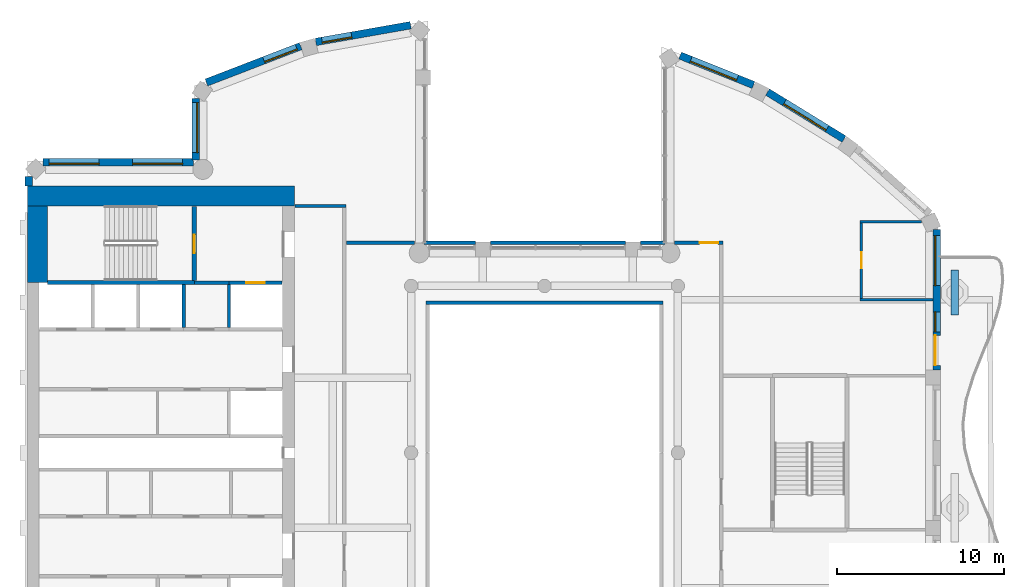
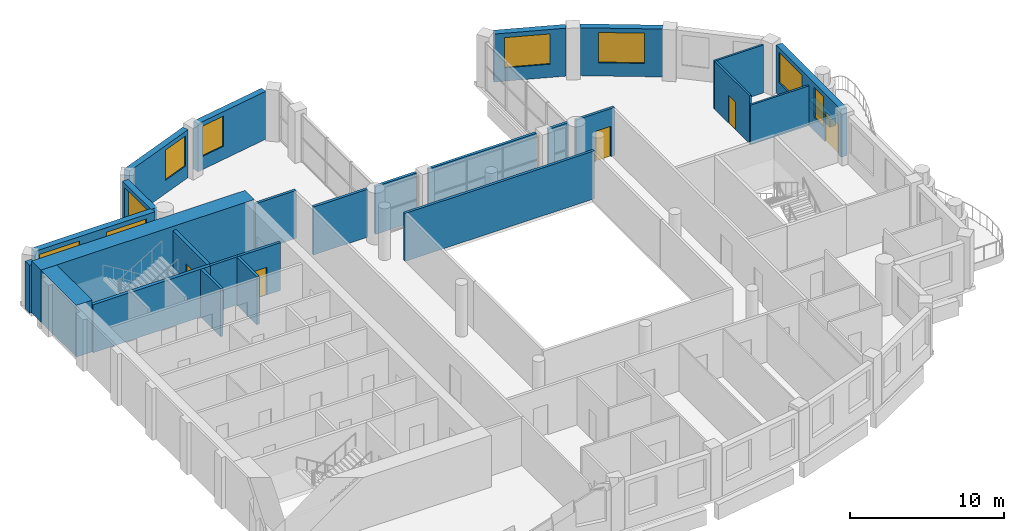
# One storey, part 7 of 15: 27 walls, 9 windows, 5 doors, 14 openings.
"""IFC4 building model written with IfcOpenShell, lengths in metres."""

import ifcopenshell
import ifcopenshell.guid

model = None  # the IFC model being written
_history = None  # IfcOwnerHistory: only IFC2X3 demands one
_inside = {}  # id of a spatial element -> (the spatial element, [elements in it])
_under = {}  # id of a project, library or spatial element -> (it, [spatial elements below it])
_declared = {}  # id of a project -> (the project, [libraries it declares])
_typed = {}  # id of a type object -> (the type object, [elements of that type])
_made_of = {}  # id of a material, layer set ... -> (it, [elements and type objects made of it])


def new_model(schema):
    """Start an empty IFC model of exactly this schema.

    Asked for "IFC4X3", IfcOpenShell would pick the latest addendum, in which some entities
    have other attributes; the version numbers below select the first issue.
    IFC2X3 requires an IfcOwnerHistory on every rooted entity: one is made here for all.
    """
    global model, _history
    if schema == "IFC4X3":
        model = ifcopenshell.file(schema_version=(4, 3, 0, 0))
    else:
        model = ifcopenshell.file(schema=schema)
    _inside.clear()
    _under.clear()
    _declared.clear()
    _typed.clear()
    _made_of.clear()
    _history = None
    if model.schema == "IFC2X3":
        org = make("IfcOrganization", Name="unknown")
        user = make(
            "IfcPersonAndOrganization",
            ThePerson=make("IfcPerson", FamilyName="unknown"),
            TheOrganization=org,
        )
        app = make(
            "IfcApplication",
            ApplicationDeveloper=org,
            Version="unknown",
            ApplicationFullName="unknown",
            ApplicationIdentifier="unknown",
        )
        _history = make(
            "IfcOwnerHistory",
            OwningUser=user,
            OwningApplication=app,
            ChangeAction="ADDED",
            CreationDate=0,
        )
    return model


def make(cls, **values):
    """One entity of the class cls with the attributes given. An attribute that is None is left unset."""
    return model.create_entity(
        cls, **{name: value for name, value in values.items() if value is not None}
    )


def rooted(cls, **values):
    """An entity with a GlobalId (a new one), such as an element, a storey or a relation."""
    return make(cls, GlobalId=ifcopenshell.guid.new(), OwnerHistory=_history, **values)


def si_unit(unit_type, name, prefix=None):
    """IfcSIUnit, for example si_unit("LENGTHUNIT", "METRE", prefix="MILLI")."""
    return make("IfcSIUnit", UnitType=unit_type, Prefix=prefix, Name=name)


def assignment(units):
    """IfcUnitAssignment: the units of a project."""
    return None if units is None else make("IfcUnitAssignment", Units=units)


def point(xyz):
    """IfcCartesianPoint."""
    return None if xyz is None else make("IfcCartesianPoint", Coordinates=xyz)


def direction(xyz):
    """IfcDirection."""
    return None if xyz is None else make("IfcDirection", DirectionRatios=xyz)


def frame(location, z_axis=None, x_axis=None):
    """IfcAxis2Placement3D, a coordinate frame: its origin and axes. An axis left out is left unset."""
    return make(
        "IfcAxis2Placement3D",
        Location=point(location),
        Axis=direction(z_axis),
        RefDirection=direction(x_axis),
    )


def frame_2d(location, x_axis=None):
    """IfcAxis2Placement2D, a coordinate frame in the plane: its origin and x axis."""
    return make(
        "IfcAxis2Placement2D", Location=point(location), RefDirection=direction(x_axis)
    )


def origin():
    """The frame at (0, 0, 0) with its axes left unset."""
    return frame((0.0, 0.0, 0.0))


def place(relative_to, where):
    """IfcLocalPlacement: puts the frame where relative to a parent placement (None: the world)."""
    return make(
        "IfcLocalPlacement", PlacementRelTo=relative_to, RelativePlacement=where
    )


def context(
    kind, dimensions, precision=None, world=None, true_north=None, identifier=None
):
    """IfcGeometricRepresentationContext, for example the 3D "Model" context."""
    return make(
        "IfcGeometricRepresentationContext",
        ContextIdentifier=identifier,
        ContextType=kind,
        CoordinateSpaceDimension=dimensions,
        Precision=precision,
        WorldCoordinateSystem=world,
        TrueNorth=true_north,
    )


def subcontext(parent, identifier, kind, view, scale=None):
    """IfcGeometricRepresentationSubContext, for example "Body" below "Model"."""
    return make(
        "IfcGeometricRepresentationSubContext",
        ContextIdentifier=identifier,
        ContextType=kind,
        ParentContext=parent,
        TargetScale=scale,
        TargetView=view,
    )


def project(units=None, contexts=None):
    """IfcProject with its units and contexts."""
    return rooted(
        "IfcProject",
        Name="project",
        RepresentationContexts=contexts,
        UnitsInContext=assignment(units),
    )


def spatial(cls, under=None, at=None, **own):
    """A site, building, storey or space (cls), placed at a placement, below another one or the project."""
    s = rooted(cls, ObjectPlacement=at, **own)
    if under is not None:
        _under.setdefault(under.id(), (under, []))[1].append(s)
    return s


def profile(cls, at=None, kind="AREA", **sizes):
    """A parametric profile (cls). Its sizes go by their IFC names, for example OverallWidth=200.0."""
    return make(cls, ProfileType=kind, Position=at, **sizes)


def rectangle(**sizes):
    """IfcRectangleProfileDef."""
    return profile("IfcRectangleProfileDef", **sizes)


def extrude(swept, where, along, depth):
    """IfcExtrudedAreaSolid: the profile swept, set in the frame where, extruded along a direction by depth."""
    return make(
        "IfcExtrudedAreaSolid",
        SweptArea=swept,
        Position=where,
        ExtrudedDirection=direction(along),
        Depth=depth,
    )


def shape(context_of_items, identifier, shape_type, items):
    """IfcShapeRepresentation: the items that make up one representation, for example the "Body"."""
    return make(
        "IfcShapeRepresentation",
        ContextOfItems=context_of_items,
        RepresentationIdentifier=identifier,
        RepresentationType=shape_type,
        Items=items,
    )


def material(Name=None, Category=None):
    """IfcMaterial."""
    return make("IfcMaterial", Name=Name, Category=Category)


def layer(
    of_material, thickness, ventilated=None, Name=None, Category=None, Priority=None
):
    """IfcMaterialLayer: one layer of a wall or slab, of a material (None: an air gap)."""
    return make(
        "IfcMaterialLayer",
        Material=of_material,
        LayerThickness=thickness,
        IsVentilated=ventilated,
        Name=Name,
        Category=Category,
        Priority=Priority,
    )


def layer_set(layers, Name=None):
    """IfcMaterialLayerSet."""
    return make("IfcMaterialLayerSet", MaterialLayers=layers, LayerSetName=Name)


def made_of(thing, what):
    """Note that an element or type object is made of a material, layer set ...; save() writes the relation."""
    if what is not None:
        _made_of.setdefault(what.id(), (what, []))[1].append(thing)
    return thing


def type_object(cls, material=None, **own):
    """A type object (cls), such as IfcWallType, which elements share."""
    return made_of(rooted(cls, **own), material)


def element(
    cls,
    number,
    at=None,
    inside=None,
    cuts=None,
    type_object=None,
    material=None,
    context=None,
    identifier="Body",
    shape_type=None,
    held_by="IfcProductDefinitionShape",
    body=None,
    shapes=None,
    **own,
):
    """One element of the class cls, such as IfcWall. Its Tag is "e" and its number.

    at: its placement. inside: the storey or other place that contains it. cuts: it is an
    opening in that element (IfcRelVoidsElement). A single representation is given by context,
    identifier, shape_type and body (its items); several are given by shapes. held_by: the class
    of the entity that holds the representations. save() writes the other relations.
    """
    e = rooted(cls, Tag="e%d" % number, ObjectPlacement=at, **own)
    if body is not None:
        shapes = [shape(context, identifier, shape_type, body)]
    if shapes is not None:
        e.Representation = make(held_by, Representations=shapes)
    if inside is not None:
        _inside.setdefault(inside.id(), (inside, []))[1].append(e)
    if cuts is not None:
        rooted(
            "IfcRelVoidsElement", RelatingBuildingElement=cuts, RelatedOpeningElement=e
        )
    if type_object is not None:
        _typed.setdefault(type_object.id(), (type_object, []))[1].append(e)
    return made_of(e, material)


def fill(opening, filler):
    """IfcRelFillsElement: the door or window that sits in an opening."""
    return rooted(
        "IfcRelFillsElement",
        RelatingOpeningElement=opening,
        RelatedBuildingElement=filler,
    )


def aggregate(whole, parts):
    """IfcRelAggregates: a whole, such as a stair, and the parts it consists of."""
    return rooted("IfcRelAggregates", RelatingObject=whole, RelatedObjects=parts)


def save(model, path):
    """Write the relations noted so far, then the file.

    IfcRelAggregates (storeys below a building ...), IfcRelContainedInSpatialStructure (elements
    in a storey), IfcRelDefinesByType, IfcRelAssociatesMaterial and IfcRelDeclares: one each for
    every whole, place, type object, material and project.
    """
    for whole, parts in _under.values():
        aggregate(whole, parts)
    for where, things in _inside.values():
        rooted(
            "IfcRelContainedInSpatialStructure",
            RelatedElements=things,
            RelatingStructure=where,
        )
    for kind, things in _typed.values():
        rooted("IfcRelDefinesByType", RelatedObjects=things, RelatingType=kind)
    for what, things in _made_of.values():
        rooted("IfcRelAssociatesMaterial", RelatedObjects=things, RelatingMaterial=what)
    for by, libraries in _declared.values():
        rooted("IfcRelDeclares", RelatingContext=by, RelatedDefinitions=libraries)
    model.write(path)


model = new_model("IFC4")

# Units and contexts
model_context = context("Model", 3, precision=1e-05, world=origin(), true_north=direction((0.0, 1.0)))
body_context = subcontext(model_context, "Body", "Model", "MODEL_VIEW")
ifc_project = project(units=[si_unit("LENGTHUNIT", "METRE"), si_unit("AREAUNIT", "SQUARE_METRE"), si_unit("VOLUMEUNIT", "CUBIC_METRE"), si_unit("PLANEANGLEUNIT", "RADIAN"), si_unit("MASSUNIT", "GRAM", prefix="KILO")], contexts=[model_context])

# Site, building, storey
site_placement = place(None, origin())
site = spatial("IfcSite", under=ifc_project, at=site_placement, CompositionType="ELEMENT")
building_placement = place(site_placement, origin())
building = spatial("IfcBuilding", under=site, at=building_placement, Name="Cypress Arch Tower", CompositionType="ELEMENT")
storey_placement = place(building_placement, frame((0.0, 0.0, 317.199951171875)))
storey = spatial("IfcBuildingStorey", under=building, at=storey_placement, Name="L72", CompositionType="ELEMENT", Elevation=317.199951171875)

# Wall
ifc_material_1 = material(Name="Concrete C40/50, waterproofed", Category="concrete")
ifc_layer_1 = layer(ifc_material_1, 0.449951171875)
ifc_layer_set_1 = layer_set([ifc_layer_1], Name="Balcony planter wall PW450")
wall_type_1 = type_object("IfcWallType", Name="Balcony planter wall PW450", PredefinedType="SOLIDWALL", material=ifc_layer_set_1)
wall_1_placement = place(storey_placement, frame((25.60009765625, 8.25, 0.0), z_axis=(0.0, 0.0, 1.0), x_axis=(0.0, 1.0, 0.0)))
element("IfcWall", 1, at=wall_1_placement, inside=storey, type_object=wall_type_1, Name="Balcony planter wall L72-C17.3", PredefinedType="SOLIDWALL", context=body_context, shape_type="SweptSolid", body=[
    extrude(rectangle(XDim=2.699951171875, YDim=0.449951171875, at=frame_2d((1.35009765625, 0.0))), origin(), (0.0, 0.0, 1.0), 0.60009765625),
])

# Wall, opening, window
ifc_material_2 = material(Name="Brick (red buff blend)", Category="masonry")
ifc_layer_2 = layer(ifc_material_2, 0.449951171875)
ifc_layer_set_2 = layer_set([ifc_layer_2], Name="Brick pier and spandrel wall BW450")
wall_type_2 = type_object("IfcWallType", Name="Brick pier and spandrel wall BW450", PredefinedType="SOLIDWALL", material=ifc_layer_set_2)
wall_2_placement = place(storey_placement, frame((-7.028564453125, 25.63232421875, 0.0), z_axis=(0.0, 0.0, 1.0), x_axis=(-0.984797606634, -0.173705710808, 0.0)))
wall_2 = element("IfcWall", 2, at=wall_2_placement, inside=storey, type_object=wall_type_2, Name="Brick wall L72 C03.0", PredefinedType="SOLIDWALL", context=body_context, shape_type="SweptSolid", body=[
    extrude(rectangle(XDim=5.772216796875, YDim=0.449951171875, at=frame_2d((2.88623046875, 0.0))), origin(), (0.0, 0.0, 1.0), 3.800048828125),
])
opening_1_placement = place(wall_2_placement, frame((3.59326171875, 0.0, 1.050048828125)))
opening_1 = element("IfcOpeningElement", 3, at=opening_1_placement, cuts=wall_2, Name="Opening W180O", PredefinedType="OPENING", context=body_context, shape_type="SweptSolid", body=[
    extrude(rectangle(XDim=1.800048828125, YDim=2.39990234375, at=frame_2d((0.89990234375, 1.199951171875))), frame((0.0, 0.23486328125, 0.0), z_axis=(0.0, -1.0, 0.0), x_axis=(1.0, 0.0, 0.0)), (0.0, 0.0, 1.0), 0.469970703125),
])
ifc_material_3 = material(Name="Anodised aluminium, bronze finish, clear low-emissivity double glazing", Category="aluminium")
window_type_1 = type_object("IfcWindowType", Name="Window Office 1800x2400", PartitioningType="SINGLE_PANEL", PredefinedType="WINDOW", material=ifc_material_3)
window_1_placement = place(opening_1_placement, origin())
window_1 = element("IfcWindow", 4, at=window_1_placement, inside=storey, type_object=window_type_1, Name="Window L72 C03.0.2", OverallHeight=2.39990234375, OverallWidth=1.800048828125, PartitioningType="SINGLE_PANEL", PredefinedType="WINDOW", context=body_context, shape_type="SweptSolid", body=[
    extrude(rectangle(XDim=1.800048828125, YDim=2.39990234375, at=frame_2d((0.89990234375, 1.199951171875))), frame((0.0, 0.135009765625, 0.0), z_axis=(0.0, -1.0, 0.0), x_axis=(1.0, 0.0, 0.0)), (0.0, 0.0, 1.0), 0.06005859375),
])
fill(opening_1, window_1)

wall_3_placement = place(storey_placement, frame((-13.6220703125, 24.376953125, 0.0), z_axis=(0.0, 0.0, 1.0), x_axis=(-0.933129259679, -0.359541075164, 0.0)))
wall_3 = element("IfcWall", 5, at=wall_3_placement, inside=storey, type_object=wall_type_2, Name="Brick wall L72 C04.0", PredefinedType="SOLIDWALL", context=body_context, shape_type="SweptSolid", body=[
    extrude(rectangle(XDim=6.05419921875, YDim=0.449951171875, at=frame_2d((3.027099609375, 0.0))), origin(), (0.0, 0.0, 1.0), 3.800048828125),
])
opening_2_placement = place(wall_3_placement, frame((0.260986328125, 0.0, 1.050048828125)))
opening_2 = element("IfcOpeningElement", 6, at=opening_2_placement, cuts=wall_3, Name="Opening W210O", PredefinedType="OPENING", context=body_context, shape_type="SweptSolid", body=[
    extrude(rectangle(XDim=2.10009765625, YDim=2.39990234375, at=frame_2d((1.050048828125, 1.199951171875))), frame((0.0, 0.23486328125, 0.0), z_axis=(0.0, -1.0, 0.0), x_axis=(1.0, 0.0, 0.0)), (0.0, 0.0, 1.0), 0.469970703125),
])
ifc_material_4 = material(Name="Anodised aluminium, bronze finish, clear low-emissivity double glazing", Category="aluminium")
window_type_2 = type_object("IfcWindowType", Name="Window Office 2100x2400", PartitioningType="SINGLE_PANEL", PredefinedType="WINDOW", material=ifc_material_4)
window_2_placement = place(opening_2_placement, origin())
window_2 = element("IfcWindow", 7, at=window_2_placement, inside=storey, type_object=window_type_2, Name="Window L72 C04.0.1", OverallHeight=2.39990234375, OverallWidth=2.10009765625, PartitioningType="SINGLE_PANEL", PredefinedType="WINDOW", context=body_context, shape_type="SweptSolid", body=[
    extrude(rectangle(XDim=2.10009765625, YDim=2.39990234375, at=frame_2d((1.050048828125, 1.199951171875))), frame((0.0, 0.135009765625, 0.0), z_axis=(0.0, -1.0, 0.0), x_axis=(1.0, 0.0, 0.0)), (0.0, 0.0, 1.0), 0.06005859375),
])
fill(opening_2, window_2)

wall_4_placement = place(storey_placement, frame((-19.925048828125, 21.248291015625, 0.0), z_axis=(0.0, 0.0, 1.0), x_axis=(0.0, -1.0, 0.0)))
wall_4 = element("IfcWall", 8, at=wall_4_placement, inside=storey, type_object=wall_type_2, Name="Brick wall L72 C05.0", PredefinedType="SOLIDWALL", context=body_context, shape_type="SweptSolid", body=[
    extrude(rectangle(XDim=3.699951171875, YDim=0.449951171875, at=frame_2d((1.85009765625, 0.0))), origin(), (0.0, 0.0, 1.0), 3.800048828125),
])
opening_3_placement = place(wall_4_placement, frame((0.251220703125, 0.0, 1.050048828125)))
opening_3 = element("IfcOpeningElement", 9, at=opening_3_placement, cuts=wall_4, Name="Opening W300O", PredefinedType="OPENING", context=body_context, shape_type="SweptSolid", body=[
    extrude(rectangle(XDim=3.0, YDim=2.39990234375, at=frame_2d((1.5, 1.199951171875))), frame((0.0, 0.23486328125, 0.0), z_axis=(0.0, -1.0, 0.0), x_axis=(1.0, 0.0, 0.0)), (0.0, 0.0, 1.0), 0.469970703125),
])
ifc_material_5 = material(Name="Anodised aluminium, bronze finish, clear low-emissivity double glazing", Category="aluminium")
window_type_3 = type_object("IfcWindowType", Name="Window Office 3000x2400", PartitioningType="SINGLE_PANEL", PredefinedType="WINDOW", material=ifc_material_5)
window_3_placement = place(opening_3_placement, origin())
window_3 = element("IfcWindow", 10, at=window_3_placement, inside=storey, type_object=window_type_3, Name="Window L72 C05.0.1", OverallHeight=2.39990234375, OverallWidth=3.0, PartitioningType="SINGLE_PANEL", PredefinedType="WINDOW", context=body_context, shape_type="SweptSolid", body=[
    extrude(rectangle(XDim=3.0, YDim=2.39990234375, at=frame_2d((1.5, 1.199951171875))), frame((0.0, 0.135009765625, 0.0), z_axis=(0.0, -1.0, 0.0), x_axis=(1.0, 0.0, 0.0)), (0.0, 0.0, 1.0), 0.06005859375),
])
fill(opening_3, window_3)

# Wall, openings, windows
wall_5_placement = place(storey_placement, frame((-20.04833984375, 17.425048828125, 0.0), z_axis=(0.0, 0.0, 1.0), x_axis=(-1.0, 0.0, 0.0)))
wall_5 = element("IfcWall", 11, at=wall_5_placement, inside=storey, type_object=wall_type_2, Name="Brick wall L72 C06.0", PredefinedType="SOLIDWALL", context=body_context, shape_type="SweptSolid", body=[
    extrude(rectangle(XDim=9.015380859375, YDim=0.449951171875, at=frame_2d((4.5078125, 0.0))), origin(), (0.0, 0.0, 1.0), 3.800048828125),
])
opening_4_placement = place(wall_5_placement, frame((0.651611328125, 0.0, 1.050048828125)))
opening_4 = element("IfcOpeningElement", 12, at=opening_4_placement, cuts=wall_5, Name="Opening W300O", PredefinedType="OPENING", context=body_context, shape_type="SweptSolid", body=[
    extrude(rectangle(XDim=3.0, YDim=2.39990234375, at=frame_2d((1.5, 1.199951171875))), frame((0.0, 0.23486328125, 0.0), z_axis=(0.0, -1.0, 0.0), x_axis=(1.0, 0.0, 0.0)), (0.0, 0.0, 1.0), 0.469970703125),
])
opening_5_placement = place(wall_5_placement, frame((5.651611328125, 0.0, 1.050048828125)))
opening_5 = element("IfcOpeningElement", 13, at=opening_5_placement, cuts=wall_5, Name="Opening W300O", PredefinedType="OPENING", context=body_context, shape_type="SweptSolid", body=[
    extrude(rectangle(XDim=3.0, YDim=2.39990234375, at=frame_2d((1.5, 1.199951171875))), frame((0.0, 0.23486328125, 0.0), z_axis=(0.0, -1.0, 0.0), x_axis=(1.0, 0.0, 0.0)), (0.0, 0.0, 1.0), 0.469970703125),
])
window_4_placement = place(opening_4_placement, origin())
window_4 = element("IfcWindow", 14, at=window_4_placement, inside=storey, type_object=window_type_3, Name="Window L72 C06.0.1", OverallHeight=2.39990234375, OverallWidth=3.0, PartitioningType="SINGLE_PANEL", PredefinedType="WINDOW", context=body_context, shape_type="SweptSolid", body=[
    extrude(rectangle(XDim=3.0, YDim=2.39990234375, at=frame_2d((1.5, 1.199951171875))), frame((0.0, 0.135009765625, 0.0), z_axis=(0.0, -1.0, 0.0), x_axis=(1.0, 0.0, 0.0)), (0.0, 0.0, 1.0), 0.06005859375),
])
fill(opening_4, window_4)
window_5_placement = place(opening_5_placement, origin())
window_5 = element("IfcWindow", 15, at=window_5_placement, inside=storey, type_object=window_type_3, Name="Window L72 C06.0.2", OverallHeight=2.39990234375, OverallWidth=3.0, PartitioningType="SINGLE_PANEL", PredefinedType="WINDOW", context=body_context, shape_type="SweptSolid", body=[
    extrude(rectangle(XDim=3.0, YDim=2.39990234375, at=frame_2d((1.5, 1.199951171875))), frame((0.0, 0.135009765625, 0.0), z_axis=(0.0, -1.0, 0.0), x_axis=(1.0, 0.0, 0.0)), (0.0, 0.0, 1.0), 0.06005859375),
])
fill(opening_5, window_5)

# Wall
wall_6_placement = place(storey_placement, frame((-29.925048828125, 16.563720703125, 0.0), z_axis=(0.0, 0.0, 1.0), x_axis=(0.0, -1.0, 0.0)))
element("IfcWall", 16, at=wall_6_placement, inside=storey, type_object=wall_type_2, Name="Brick wall L72 C07.0", PredefinedType="SOLIDWALL", context=body_context, shape_type="SweptSolid", body=[
    extrude(rectangle(XDim=0.563720703125, YDim=0.449951171875, at=frame_2d((0.28173828125, 0.0))), origin(), (0.0, 0.0, 1.0), 3.800048828125),
])

# Wall, openings, door, windows
wall_7_placement = place(storey_placement, frame((24.52490234375, 4.949951171875, 0.0), z_axis=(0.0, 0.0, 1.0), x_axis=(0.0, 1.0, 0.0)))
wall_7 = element("IfcWall", 17, at=wall_7_placement, inside=storey, type_object=wall_type_2, Name="Brick wall L72 C17.2", PredefinedType="SOLIDWALL", context=body_context, shape_type="SweptSolid", body=[
    extrude(rectangle(XDim=8.421875, YDim=0.449951171875, at=frame_2d((4.2109375, 0.0))), origin(), (0.0, 0.0, 1.0), 3.800048828125),
])
opening_6_placement = place(wall_7_placement, frame((0.291259765625, 0.0, 0.0)))
opening_6 = element("IfcOpeningElement", 18, at=opening_6_placement, cuts=wall_7, Name="Opening D-L72-C17.2.1", PredefinedType="OPENING", context=body_context, shape_type="SweptSolid", body=[
    extrude(rectangle(XDim=1.800048828125, YDim=2.39990234375, at=frame_2d((0.89990234375, 1.199951171875))), frame((0.0, 0.23486328125, 0.0), z_axis=(0.0, -1.0, 0.0), x_axis=(1.0, 0.0, 0.0)), (0.0, 0.0, 1.0), 0.469970703125),
])
opening_7_placement = place(wall_7_placement, frame((2.291259765625, 0.0, 1.050048828125)))
opening_7 = element("IfcOpeningElement", 19, at=opening_7_placement, cuts=wall_7, Name="Opening W120OD", PredefinedType="OPENING", context=body_context, shape_type="SweptSolid", body=[
    extrude(rectangle(XDim=1.199951171875, YDim=2.39990234375, at=frame_2d((0.60009765625, 1.199951171875))), frame((0.0, 0.23486328125, 0.0), z_axis=(0.0, -1.0, 0.0), x_axis=(1.0, 0.0, 0.0)), (0.0, 0.0, 1.0), 0.469970703125),
])
opening_8_placement = place(wall_7_placement, frame((5.073974609375, 0.0, 1.050048828125)))
opening_8 = element("IfcOpeningElement", 20, at=opening_8_placement, cuts=wall_7, Name="Opening W300OD", PredefinedType="OPENING", context=body_context, shape_type="SweptSolid", body=[
    extrude(rectangle(XDim=3.0, YDim=2.39990234375, at=frame_2d((1.5, 1.199951171875))), frame((0.0, 0.23486328125, 0.0), z_axis=(0.0, -1.0, 0.0), x_axis=(1.0, 0.0, 0.0)), (0.0, 0.0, 1.0), 0.469970703125),
])
ifc_material_6 = material(Name="Anodised aluminium, bronze finish, laminated low-emissivity double glazing, large-missile impact rated", Category="aluminium")
door_type_1 = type_object("IfcDoorType", Name="Balcony sliding door 1800x2400", OperationType="SLIDING_TO_LEFT", PredefinedType="DOOR", material=ifc_material_6)
door_1_placement = place(opening_6_placement, origin())
door_1 = element("IfcDoor", 21, at=door_1_placement, inside=storey, type_object=door_type_1, Name="Balcony door L72 C17.2.1", OperationType="SLIDING_TO_LEFT", OverallHeight=2.39990234375, OverallWidth=1.800048828125, PredefinedType="DOOR", context=body_context, shape_type="SweptSolid", body=[
    extrude(rectangle(XDim=1.800048828125, YDim=2.39990234375, at=frame_2d((0.89990234375, 1.199951171875))), frame((0.0, 0.1298828125, 0.0), z_axis=(0.0, -1.0, 0.0), x_axis=(1.0, 0.0, 0.0)), (0.0, 0.0, 1.0), 0.050048828125),
])
fill(opening_6, door_1)
ifc_material_7 = material(Name="Anodised aluminium, bronze finish, laminated low-emissivity double glazing, large-missile impact rated", Category="aluminium")
window_type_4 = type_object("IfcWindowType", Name="Window Office 1200x2400 debris-rated", PartitioningType="SINGLE_PANEL", PredefinedType="WINDOW", material=ifc_material_7)
window_6_placement = place(opening_7_placement, origin())
window_6 = element("IfcWindow", 22, at=window_6_placement, inside=storey, type_object=window_type_4, Name="Window L72 C17.2.1", OverallHeight=2.39990234375, OverallWidth=1.199951171875, PartitioningType="SINGLE_PANEL", PredefinedType="WINDOW", context=body_context, shape_type="SweptSolid", body=[
    extrude(rectangle(XDim=1.199951171875, YDim=2.39990234375, at=frame_2d((0.60009765625, 1.199951171875))), frame((0.0, 0.135009765625, 0.0), z_axis=(0.0, -1.0, 0.0), x_axis=(1.0, 0.0, 0.0)), (0.0, 0.0, 1.0), 0.06005859375),
])
fill(opening_7, window_6)
ifc_material_8 = material(Name="Anodised aluminium, bronze finish, laminated low-emissivity double glazing, large-missile impact rated", Category="aluminium")
window_type_5 = type_object("IfcWindowType", Name="Window Office 3000x2400 debris-rated", PartitioningType="SINGLE_PANEL", PredefinedType="WINDOW", material=ifc_material_8)
window_7_placement = place(opening_8_placement, origin())
window_7 = element("IfcWindow", 23, at=window_7_placement, inside=storey, type_object=window_type_5, Name="Window L72 C17.2.2", OverallHeight=2.39990234375, OverallWidth=3.0, PartitioningType="SINGLE_PANEL", PredefinedType="WINDOW", context=body_context, shape_type="SweptSolid", body=[
    extrude(rectangle(XDim=3.0, YDim=2.39990234375, at=frame_2d((1.5, 1.199951171875))), frame((0.0, 0.135009765625, 0.0), z_axis=(0.0, -1.0, 0.0), x_axis=(1.0, 0.0, 0.0)), (0.0, 0.0, 1.0), 0.06005859375),
])
fill(opening_8, window_7)

# Wall, opening, window
wall_8_placement = place(storey_placement, frame((18.953369140625, 18.806396484375, 0.0), z_axis=(0.0, 0.0, 1.0), x_axis=(-0.851860664503, 0.523768468193, 0.0)))
wall_8 = element("IfcWall", 24, at=wall_8_placement, inside=storey, type_object=wall_type_2, Name="Brick wall L72 C19.0", PredefinedType="SOLIDWALL", context=body_context, shape_type="SweptSolid", body=[
    extrude(rectangle(XDim=5.3837890625, YDim=0.449951171875, at=frame_2d((2.69189453125, 0.0))), origin(), (0.0, 0.0, 1.0), 3.800048828125),
])
opening_9_placement = place(wall_8_placement, frame((1.19189453125, 0.0, 1.050048828125)))
opening_9 = element("IfcOpeningElement", 25, at=opening_9_placement, cuts=wall_8, Name="Opening W300O", PredefinedType="OPENING", context=body_context, shape_type="SweptSolid", body=[
    extrude(rectangle(XDim=3.0, YDim=2.39990234375, at=frame_2d((1.5, 1.199951171875))), frame((0.0, 0.23486328125, 0.0), z_axis=(0.0, -1.0, 0.0), x_axis=(1.0, 0.0, 0.0)), (0.0, 0.0, 1.0), 0.469970703125),
])
window_8_placement = place(opening_9_placement, origin())
window_8 = element("IfcWindow", 26, at=window_8_placement, inside=storey, type_object=window_type_3, Name="Window L72 C19.0.1", OverallHeight=2.39990234375, OverallWidth=3.0, PartitioningType="SINGLE_PANEL", PredefinedType="WINDOW", context=body_context, shape_type="SweptSolid", body=[
    extrude(rectangle(XDim=3.0, YDim=2.39990234375, at=frame_2d((1.5, 1.199951171875))), frame((0.0, 0.135009765625, 0.0), z_axis=(0.0, -1.0, 0.0), x_axis=(1.0, 0.0, 0.0)), (0.0, 0.0, 1.0), 0.06005859375),
])
fill(opening_9, window_8)

wall_9_placement = place(storey_placement, frame((13.529296875, 22.04833984375, 0.0), z_axis=(0.0, 0.0, 1.0), x_axis=(-0.927957332619, 0.372686448424, 0.0)))
wall_9 = element("IfcWall", 27, at=wall_9_placement, inside=storey, type_object=wall_type_2, Name="Brick wall L72 C20.0", PredefinedType="SOLIDWALL", context=body_context, shape_type="SweptSolid", body=[
    extrude(rectangle(XDim=4.741455078125, YDim=0.449951171875, at=frame_2d((2.37060546875, 0.0))), origin(), (0.0, 0.0, 1.0), 3.800048828125),
])
opening_10_placement = place(wall_9_placement, frame((1.046630859375, 0.0, 1.050048828125)))
opening_10 = element("IfcOpeningElement", 28, at=opening_10_placement, cuts=wall_9, Name="Opening W300O", PredefinedType="OPENING", context=body_context, shape_type="SweptSolid", body=[
    extrude(rectangle(XDim=3.0, YDim=2.39990234375, at=frame_2d((1.5, 1.199951171875))), frame((0.0, 0.23486328125, 0.0), z_axis=(0.0, -1.0, 0.0), x_axis=(1.0, 0.0, 0.0)), (0.0, 0.0, 1.0), 0.469970703125),
])
window_9_placement = place(opening_10_placement, origin())
window_9 = element("IfcWindow", 29, at=window_9_placement, inside=storey, type_object=window_type_3, Name="Window L72 C20.0.1", OverallHeight=2.39990234375, OverallWidth=3.0, PartitioningType="SINGLE_PANEL", PredefinedType="WINDOW", context=body_context, shape_type="SweptSolid", body=[
    extrude(rectangle(XDim=3.0, YDim=2.39990234375, at=frame_2d((1.5, 1.199951171875))), frame((0.0, 0.135009765625, 0.0), z_axis=(0.0, -1.0, 0.0), x_axis=(1.0, 0.0, 0.0)), (0.0, 0.0, 1.0), 0.06005859375),
])
fill(opening_10, window_9)

# Walls
ifc_material_9 = material(Name="Concrete C60/75", Category="concrete")
ifc_layer_3 = layer(ifc_material_9, 1.199951171875)
ifc_layer_set_3 = layer_set([ifc_layer_3], Name="Core wall CW1200 C60/75")
wall_type_3 = type_object("IfcWallType", Name="Core wall CW1200 C60/75", PredefinedType="SHEAR", material=ifc_layer_set_3)
wall_10_placement = place(storey_placement, frame((-30.0, 15.39990234375, 0.0), z_axis=(0.0, 0.0, 1.0), x_axis=(1.0, 0.0, 0.0)))
element("IfcWall", 30, at=wall_10_placement, inside=storey, type_object=wall_type_3, Name="Core wall", PredefinedType="SHEAR", context=body_context, shape_type="SweptSolid", body=[
    extrude(rectangle(XDim=16.0, YDim=1.199951171875, at=frame_2d((8.0, 0.0))), origin(), (0.0, 0.0, 1.0), 4.10009765625),
])
wall_11_placement = place(storey_placement, frame((-29.39990234375, 10.199951171875, 0.0), z_axis=(0.0, 0.0, 1.0), x_axis=(0.0, 1.0, 0.0)))
element("IfcWall", 31, at=wall_11_placement, inside=storey, type_object=wall_type_3, Name="Core wall", PredefinedType="SHEAR", context=body_context, shape_type="SweptSolid", body=[
    extrude(rectangle(XDim=4.60009765625, YDim=1.199951171875, at=frame_2d((2.300048828125, 0.0))), origin(), (0.0, 0.0, 1.0), 4.10009765625),
])
ifc_material_10 = material(Name="Concrete blockwork, plastered, rated", Category="masonry")
ifc_layer_4 = layer(ifc_material_10, 0.199951171875)
ifc_layer_set_4 = layer_set([ifc_layer_4], Name="Corridor wall FW200")
wall_type_4 = type_object("IfcWallType", Name="Corridor wall FW200", PredefinedType="PARTITIONING", material=ifc_layer_set_4)
wall_12_placement = place(storey_placement, frame((-20.0, 10.199951171875, 0.0), z_axis=(0.0, 0.0, 1.0), x_axis=(1.0, 0.0, 0.0)))
element("IfcWall", 32, at=wall_12_placement, inside=storey, type_object=wall_type_4, Name="Corridor wall", PredefinedType="PARTITIONING", context=body_context, shape_type="SweptSolid", body=[
    extrude(rectangle(XDim=2.080078125, YDim=0.199951171875, at=frame_2d((1.0400390625, 0.0))), origin(), (0.0, 0.0, 1.0), 3.800048828125),
])
wall_13_placement = place(storey_placement, frame((-13.969970703125, 14.800048828125, 0.0), z_axis=(0.0, 0.0, 1.0), x_axis=(1.0, 0.0, 0.0)))
element("IfcWall", 33, at=wall_13_placement, inside=storey, type_object=wall_type_4, Name="Corridor wall", PredefinedType="PARTITIONING", context=body_context, shape_type="SweptSolid", body=[
    extrude(rectangle(XDim=3.070068359375, YDim=0.199951171875, at=frame_2d((1.53515625, 0.0))), origin(), (0.0, 0.0, 1.0), 3.800048828125),
])
wall_14_placement = place(storey_placement, frame((-10.8798828125, 12.60009765625, 0.0), z_axis=(0.0, 0.0, 1.0), x_axis=(1.0, 0.0, 0.0)))
element("IfcWall", 34, at=wall_14_placement, inside=storey, type_object=wall_type_4, Name="Corridor wall", PredefinedType="PARTITIONING", context=body_context, shape_type="SweptSolid", body=[
    extrude(rectangle(XDim=4.079833984375, YDim=0.199951171875, at=frame_2d((2.0400390625, 0.0))), origin(), (0.0, 0.0, 1.0), 3.800048828125),
])
wall_15_placement = place(storey_placement, frame((-6.22998046875, 12.60009765625, 0.0), z_axis=(0.0, 0.0, 1.0), x_axis=(1.0, 0.0, 0.0)))
element("IfcWall", 35, at=wall_15_placement, inside=storey, type_object=wall_type_4, Name="Corridor wall", PredefinedType="PARTITIONING", context=body_context, shape_type="SweptSolid", body=[
    extrude(rectangle(XDim=3.080078125, YDim=0.199951171875, at=frame_2d((1.5400390625, 0.0))), origin(), (0.0, 0.0, 1.0), 3.800048828125),
])
wall_16_placement = place(storey_placement, frame((-2.25, 12.60009765625, 0.0), z_axis=(0.0, 0.0, 1.0), x_axis=(1.0, 0.0, 0.0)))
element("IfcWall", 36, at=wall_16_placement, inside=storey, type_object=wall_type_4, Name="Corridor wall", PredefinedType="PARTITIONING", context=body_context, shape_type="SweptSolid", body=[
    extrude(rectangle(XDim=8.10009765625, YDim=0.199951171875, at=frame_2d((4.050048828125, 0.0))), origin(), (0.0, 0.0, 1.0), 3.800048828125),
])
wall_17_placement = place(storey_placement, frame((6.75, 12.60009765625, 0.0), z_axis=(0.0, 0.0, 1.0), x_axis=(1.0, 0.0, 0.0)))
element("IfcWall", 37, at=wall_17_placement, inside=storey, type_object=wall_type_4, Name="Corridor wall", PredefinedType="PARTITIONING", context=body_context, shape_type="SweptSolid", body=[
    extrude(rectangle(XDim=1.47998046875, YDim=0.199951171875, at=frame_2d((0.739990234375, 0.0))), origin(), (0.0, 0.0, 1.0), 3.800048828125),
])
wall_18_placement = place(storey_placement, frame((-6.10009765625, 9.0, 0.0), z_axis=(0.0, 0.0, 1.0), x_axis=(1.0, 0.0, 0.0)))
element("IfcWall", 38, at=wall_18_placement, inside=storey, type_object=wall_type_4, Name="Corridor wall", PredefinedType="PARTITIONING", context=body_context, shape_type="SweptSolid", body=[
    extrude(rectangle(XDim=14.2001953125, YDim=0.199951171875, at=frame_2d((7.10009765625, 0.0))), origin(), (0.0, 0.0, 1.0), 3.800048828125),
])

# Wall, opening, door
wall_19_placement = place(storey_placement, frame((8.800048828125, 12.60009765625, 0.0), z_axis=(0.0, 0.0, 1.0), x_axis=(1.0, 0.0, 0.0)))
wall_19 = element("IfcWall", 39, at=wall_19_placement, inside=storey, type_object=wall_type_4, Name="Corridor wall", PredefinedType="PARTITIONING", context=body_context, shape_type="SweptSolid", body=[
    extrude(rectangle(XDim=2.89990234375, YDim=0.199951171875, at=frame_2d((1.449951171875, 0.0))), origin(), (0.0, 0.0, 1.0), 3.800048828125),
])
opening_11_placement = place(wall_19_placement, frame((1.5, 0.0, 0.0)))
opening_11 = element("IfcOpeningElement", 40, at=opening_11_placement, cuts=wall_19, Name="Opening D01", PredefinedType="OPENING", context=body_context, shape_type="SweptSolid", body=[
    extrude(rectangle(XDim=1.10009765625, YDim=2.39990234375, at=frame_2d((0.550048828125, 1.199951171875))), frame((0.0, 0.10986328125, 0.0), z_axis=(0.0, -1.0, 0.0), x_axis=(1.0, 0.0, 0.0)), (0.0, 0.0, 1.0), 0.219970703125),
])
ifc_material_11 = material(Name="Timber flush door, fire resisting, self-closing", Category="wood")
door_type_2 = type_object("IfcDoorType", Name="Unit entrance door D01 1100x2400", OperationType="SINGLE_SWING_LEFT", PredefinedType="DOOR", material=ifc_material_11)
door_2_placement = place(opening_11_placement, origin())
door_2 = element("IfcDoor", 41, at=door_2_placement, inside=storey, type_object=door_type_2, Name="Unit entrance door", OperationType="SINGLE_SWING_RIGHT", OverallHeight=2.39990234375, OverallWidth=1.10009765625, PredefinedType="DOOR", context=body_context, shape_type="SweptSolid", body=[
    extrude(rectangle(XDim=1.10009765625, YDim=2.39990234375, at=frame_2d((0.550048828125, 1.199951171875))), frame((0.0, 0.02490234375, 0.0), z_axis=(0.0, -1.0, 0.0), x_axis=(1.0, 0.0, 0.0)), (0.0, 0.0, 1.0), 0.050048828125),
])
fill(opening_11, door_2)

ifc_material_12 = material(Name="Blockwork, plastered both sides", Category="masonry")
ifc_layer_5 = layer(ifc_material_12, 0.14990234375)
ifc_layer_set_5 = layer_set([ifc_layer_5], Name="Partition PW150")
wall_type_5 = type_object("IfcWallType", Name="Partition PW150", PredefinedType="PARTITIONING", material=ifc_layer_set_5)
wall_20_placement = place(storey_placement, frame((20.0, 9.258056640625, 0.0), z_axis=(0.0, 0.0, 1.0), x_axis=(0.0, 1.0, 0.0)))
wall_20 = element("IfcWall", 42, at=wall_20_placement, inside=storey, type_object=wall_type_5, Name="Partition", PredefinedType="PARTITIONING", context=body_context, shape_type="SweptSolid", body=[
    extrude(rectangle(XDim=4.531982421875, YDim=0.14990234375, at=frame_2d((2.26611328125, 0.0))), origin(), (0.0, 0.0, 1.0), 3.800048828125),
])
opening_12_placement = place(wall_20_placement, frame((1.800048828125, 0.0, 0.0)))
opening_12 = element("IfcOpeningElement", 43, at=opening_12_placement, cuts=wall_20, Name="Opening D12", PredefinedType="OPENING", context=body_context, shape_type="SweptSolid", body=[
    extrude(rectangle(XDim=0.949951171875, YDim=2.199951171875, at=frame_2d((0.47509765625, 1.10009765625))), frame((0.0, 0.0849609375, 0.0), z_axis=(0.0, -1.0, 0.0), x_axis=(1.0, 0.0, 0.0)), (0.0, 0.0, 1.0), 0.169921875),
])
ifc_material_13 = material(Name="Timber flush door", Category="wood")
door_type_3 = type_object("IfcDoorType", Name="Room door D12 950x2200", OperationType="SINGLE_SWING_LEFT", PredefinedType="DOOR", material=ifc_material_13)
door_3_placement = place(opening_12_placement, origin())
door_3 = element("IfcDoor", 44, at=door_3_placement, inside=storey, type_object=door_type_3, Name="Room door", OperationType="SINGLE_SWING_RIGHT", OverallHeight=2.199951171875, OverallWidth=0.949951171875, PredefinedType="DOOR", context=body_context, shape_type="SweptSolid", body=[
    extrude(rectangle(XDim=0.949951171875, YDim=2.199951171875, at=frame_2d((0.47509765625, 1.10009765625))), frame((0.0, 0.02490234375, 0.0), z_axis=(0.0, -1.0, 0.0), x_axis=(1.0, 0.0, 0.0)), (0.0, 0.0, 1.0), 0.050048828125),
])
fill(opening_12, door_3)

# Walls
wall_21_placement = place(storey_placement, frame((19.925048828125, 9.18310546875, 0.0), z_axis=(0.0, 0.0, 1.0), x_axis=(1.0, 0.0, 0.0)))
element("IfcWall", 45, at=wall_21_placement, inside=storey, type_object=wall_type_5, Name="Partition", PredefinedType="PARTITIONING", context=body_context, shape_type="SweptSolid", body=[
    extrude(rectangle(XDim=4.375, YDim=0.14990234375, at=frame_2d((2.1875, 0.0))), origin(), (0.0, 0.0, 1.0), 3.150146484375),
])
wall_22_placement = place(storey_placement, frame((19.925048828125, 13.864990234375, 0.0), z_axis=(0.0, 0.0, 1.0), x_axis=(1.0, 0.0, 0.0)))
element("IfcWall", 46, at=wall_22_placement, inside=storey, type_object=wall_type_5, Name="Partition", PredefinedType="PARTITIONING", context=body_context, shape_type="SweptSolid", body=[
    extrude(rectangle(XDim=3.677734375, YDim=0.14990234375, at=frame_2d((1.8388671875, 0.0))), origin(), (0.0, 0.0, 1.0), 3.800048828125),
])
ifc_material_14 = material(Name="Concrete C50/60", Category="concrete")
ifc_layer_6 = layer(ifc_material_14, 0.199951171875)
ifc_layer_set_6 = layer_set([ifc_layer_6], Name="Shaft wall SH200")
wall_type_6 = type_object("IfcWallType", Name="Shaft wall SH200", PredefinedType="SHEAR", material=ifc_layer_set_6)
wall_23_placement = place(storey_placement, frame((-20.639892578125, 7.5, 0.0), z_axis=(0.0, 0.0, 1.0), x_axis=(0.0, 1.0, 0.0)))
element("IfcWall", 47, at=wall_23_placement, inside=storey, type_object=wall_type_6, Name="Shaft wall", PredefinedType="SHEAR", context=body_context, shape_type="SweptSolid", body=[
    extrude(rectangle(XDim=2.574951171875, YDim=0.199951171875, at=frame_2d((1.28759765625, 0.0))), origin(), (0.0, 0.0, 1.0), 3.800048828125),
])
wall_24_placement = place(storey_placement, frame((-17.919921875, 7.5, 0.0), z_axis=(0.0, 0.0, 1.0), x_axis=(0.0, 1.0, 0.0)))
element("IfcWall", 48, at=wall_24_placement, inside=storey, type_object=wall_type_6, Name="Shaft wall", PredefinedType="SHEAR", context=body_context, shape_type="SweptSolid", body=[
    extrude(rectangle(XDim=2.60009765625, YDim=0.199951171875, at=frame_2d((1.300048828125, 0.0))), origin(), (0.0, 0.0, 1.0), 3.800048828125),
])

# Wall, opening, door
wall_25_placement = place(storey_placement, frame((-17.919921875, 10.199951171875, 0.0), z_axis=(0.0, 0.0, 1.0), x_axis=(1.0, 0.0, 0.0)))
wall_25 = element("IfcWall", 49, at=wall_25_placement, inside=storey, type_object=wall_type_6, Name="Shaft wall", PredefinedType="SHEAR", context=body_context, shape_type="SweptSolid", body=[
    extrude(rectangle(XDim=3.18994140625, YDim=0.199951171875, at=frame_2d((1.594970703125, 0.0))), origin(), (0.0, 0.0, 1.0), 3.800048828125),
])
opening_13_placement = place(wall_25_placement, frame((1.050048828125, 0.0, 0.0)))
opening_13 = element("IfcOpeningElement", 50, at=opening_13_placement, cuts=wall_25, Name="Opening LD-FL2", PredefinedType="OPENING", context=body_context, shape_type="SweptSolid", body=[
    extrude(rectangle(XDim=1.10009765625, YDim=2.199951171875, at=frame_2d((0.550048828125, 1.10009765625))), frame((0.0, 0.10986328125, 0.0), z_axis=(0.0, -1.0, 0.0), x_axis=(1.0, 0.0, 0.0)), (0.0, 0.0, 1.0), 0.219970703125),
])
ifc_material_15 = material(Name="Stainless steel centre-opening landing door, rated", Category="steel")
door_type_4 = type_object("IfcDoorType", Name="Lift landing door LD 1100x2200", OperationType="DOUBLE_DOOR_SLIDING", PredefinedType="DOOR", material=ifc_material_15)
door_4_placement = place(opening_13_placement, origin())
door_4 = element("IfcDoor", 51, at=door_4_placement, inside=storey, type_object=door_type_4, Name="Lift landing doors FL2", OperationType="DOUBLE_DOOR_SLIDING", OverallHeight=2.199951171875, OverallWidth=1.10009765625, PredefinedType="DOOR", context=body_context, shape_type="SweptSolid", body=[
    extrude(rectangle(XDim=1.10009765625, YDim=2.199951171875, at=frame_2d((0.550048828125, 1.10009765625))), frame((0.0, 0.02490234375, 0.0), z_axis=(0.0, -1.0, 0.0), x_axis=(1.0, 0.0, 0.0)), (0.0, 0.0, 1.0), 0.050048828125),
])
fill(opening_13, door_4)

# Wall
ifc_material_16 = material(Name="Concrete C50/60", Category="concrete")
ifc_layer_7 = layer(ifc_material_16, 0.25)
ifc_layer_set_7 = layer_set([ifc_layer_7], Name="Stair enclosure wall SW250")
wall_type_7 = type_object("IfcWallType", Name="Stair enclosure wall SW250", PredefinedType="SHEAR", material=ifc_layer_set_7)
wall_26_placement = place(storey_placement, frame((-28.81005859375, 10.199951171875, 0.0), z_axis=(0.0, 0.0, 1.0), x_axis=(1.0, 0.0, 0.0)))
element("IfcWall", 52, at=wall_26_placement, inside=storey, type_object=wall_type_7, Name="Stair enclosure wall", PredefinedType="SHEAR", context=body_context, shape_type="SweptSolid", body=[
    extrude(rectangle(XDim=8.81005859375, YDim=0.25, at=frame_2d((4.405029296875, 0.0))), origin(), (0.0, 0.0, 1.0), 3.800048828125),
])

# Wall, opening, door
wall_27_placement = place(storey_placement, frame((-20.0, 10.324951171875, 0.0), z_axis=(0.0, 0.0, 1.0), x_axis=(0.0, 1.0, 0.0)))
wall_27 = element("IfcWall", 53, at=wall_27_placement, inside=storey, type_object=wall_type_7, Name="Stair enclosure wall", PredefinedType="SHEAR", context=body_context, shape_type="SweptSolid", body=[
    extrude(rectangle(XDim=4.445068359375, YDim=0.25, at=frame_2d((2.22265625, 0.0))), origin(), (0.0, 0.0, 1.0), 3.800048828125),
])
opening_14_placement = place(wall_27_placement, frame((1.64990234375, 0.0, 0.0)))
opening_14 = element("IfcOpeningElement", 54, at=opening_14_placement, cuts=wall_27, Name="Opening D06", PredefinedType="OPENING", context=body_context, shape_type="SweptSolid", body=[
    extrude(rectangle(XDim=1.10009765625, YDim=2.199951171875, at=frame_2d((0.550048828125, 1.10009765625))), frame((0.0, 0.135009765625, 0.0), z_axis=(0.0, -1.0, 0.0), x_axis=(1.0, 0.0, 0.0)), (0.0, 0.0, 1.0), 0.27001953125),
])
ifc_material_17 = material(Name="Steel door, fire resisting, panic bar", Category="steel")
door_type_5 = type_object("IfcDoorType", Name="Stair door D06 1100x2200", OperationType="SINGLE_SWING_LEFT", PredefinedType="DOOR", material=ifc_material_17)
door_5_placement = place(opening_14_placement, origin())
door_5 = element("IfcDoor", 55, at=door_5_placement, inside=storey, type_object=door_type_5, Name="Stair door", OperationType="SINGLE_SWING_LEFT", OverallHeight=2.199951171875, OverallWidth=1.10009765625, PredefinedType="DOOR", context=body_context, shape_type="SweptSolid", body=[
    extrude(rectangle(XDim=1.10009765625, YDim=2.199951171875, at=frame_2d((0.550048828125, 1.10009765625))), frame((0.0, 0.02490234375, 0.0), z_axis=(0.0, -1.0, 0.0), x_axis=(1.0, 0.0, 0.0)), (0.0, 0.0, 1.0), 0.050048828125),
])
fill(opening_14, door_5)

save(model, "model.ifc")
